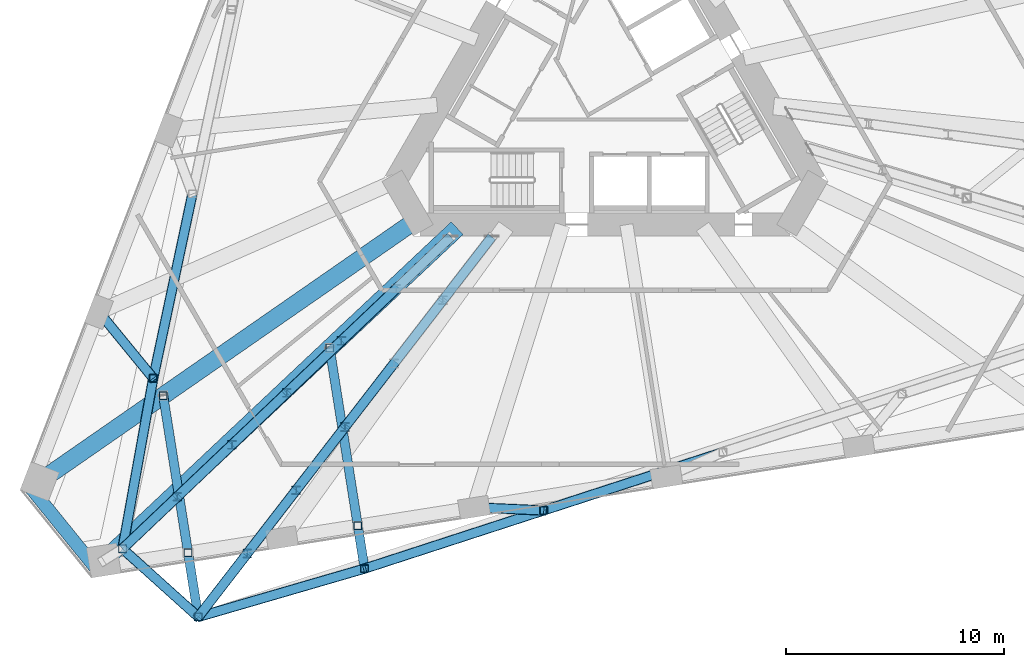
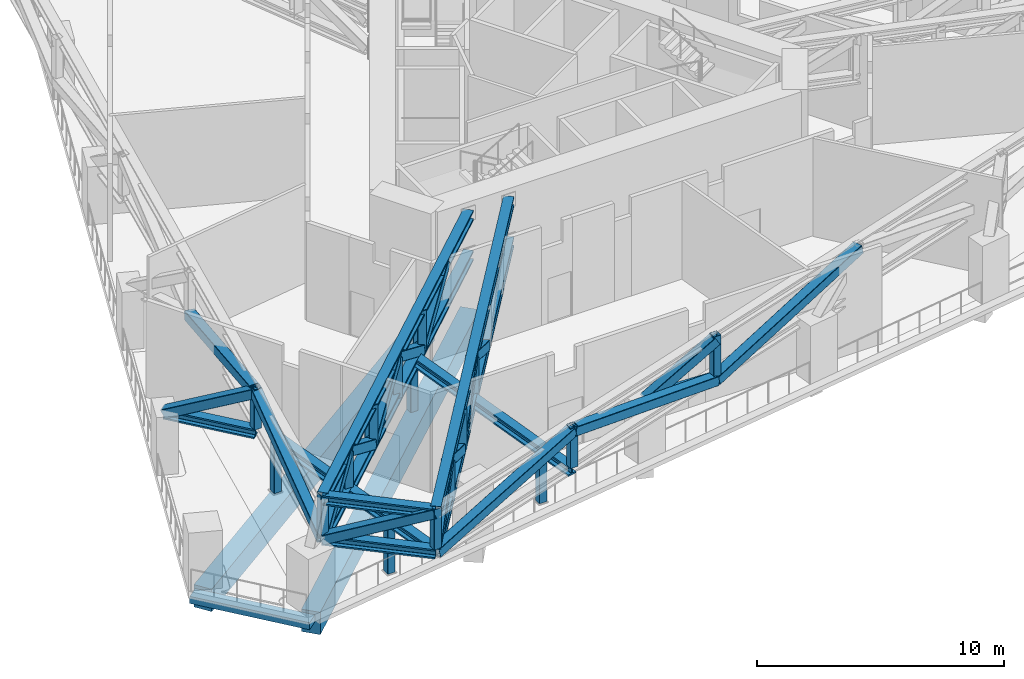
# One storey, part 2 of 20: 43 members, 3 beams.
"""IFC4 building model written with IfcOpenShell, lengths in metres."""

from ifc_helpers import new_model, si_unit, direction, frame, origin, origin_2d, place, context, subcontext, project, spatial, rectangle, hollow_rectangle, i_section, extrude, material, material_profile, profile_set, type_object, element, save


model = new_model("IFC4")

# Units and contexts
model_context = context("Model", 3, precision=1e-05, world=origin(), true_north=direction((0.0, 1.0)))
body_context = subcontext(model_context, "Body", "Model", "MODEL_VIEW")
ifc_project = project(units=[si_unit("LENGTHUNIT", "METRE"), si_unit("AREAUNIT", "SQUARE_METRE"), si_unit("VOLUMEUNIT", "CUBIC_METRE"), si_unit("PLANEANGLEUNIT", "RADIAN"), si_unit("MASSUNIT", "GRAM", prefix="KILO")], contexts=[model_context])

# Site, building, storey
site_placement = place(None, origin())
site = spatial("IfcSite", under=ifc_project, at=site_placement, CompositionType="ELEMENT")
building_placement = place(site_placement, origin())
building = spatial("IfcBuilding", under=site, at=building_placement, Name="Tramontana Tower", CompositionType="ELEMENT")
storey_placement = place(building_placement, frame((0.0, 0.0, 83.199951171875)))
storey = spatial("IfcBuildingStorey", under=building, at=storey_placement, Name="L18", CompositionType="ELEMENT", Elevation=83.199951171875)

# Members
ifc_material_1 = material(Name="Steel ASTM A500 Grade C", Category="steel")
ifc_material_profile_1 = material_profile(ifc_material_1, hollow_rectangle(XDim=0.355712890625, YDim=0.355712890625, WallThickness=0.01171875, InnerFilletRadius=0.01171875, OuterFilletRadius=0.023681640625, at=origin_2d()), Name="HSS14X14X1/2")
ifc_profile_set_1 = profile_set([ifc_material_profile_1], Name="Steel ASTM A500 Grade C")
member_type_1 = type_object("IfcMemberType", Name="Belt truss HSS14X14X1/2 post", PredefinedType="POST", material=ifc_profile_set_1)
for number, where, z_axis, x_axis, name in (
    (1, (-20.767578125, -13.293212890625, 2.86376953125), (0.0, 0.0, 1.0), (1.0, 0.0, 0.0), "Belt truss post C2F05"),
    (2, (-22.177978515625, -21.13134765625, 2.86376953125), (0.0, 0.0, 1.0), (1.0, 0.0, 0.0), "Belt truss post C2K2"),
    (3, (-18.697509765625, -24.265380859375, 2.86376953125), (0.0, 0.0, 1.0), (1.0, 0.0, 0.0), "Belt truss post C2K3"),
    (4, (-11.049560546875, -22.04345703125, 2.86376953125), (0.0, 0.0, 1.0), (1.0, 0.0, 0.0), "Belt truss post C2F06"),
    (5, (-2.81298828125, -19.3671875, 2.86376953125), (0.0, 0.0, 1.0), (1.0, 0.0, 0.0), "Belt truss post C2F07"),
):
    element("IfcMember", number, at=place(storey_placement, frame(where, z_axis=z_axis, x_axis=x_axis)), inside=storey, type_object=member_type_1, Name=name, PredefinedType="POST", context=body_context, shape_type="SweptSolid", body=[
        extrude(hollow_rectangle(XDim=0.355712890625, YDim=0.355712890625, WallThickness=0.01171875, InnerFilletRadius=0.01171875, OuterFilletRadius=0.023681640625, at=origin_2d()), origin(), (0.0, 0.0, 1.0), 1.986328125),
    ])
ifc_material_2 = material(Name="Steel ASTM A500 Grade C", Category="steel")
ifc_material_profile_2 = material_profile(ifc_material_2, hollow_rectangle(XDim=0.457275390625, YDim=0.457275390625, WallThickness=0.017822265625, InnerFilletRadius=0.017822265625, OuterFilletRadius=0.035400390625, at=origin_2d()), Name="HSS18X18X3/4")
ifc_profile_set_2 = profile_set([ifc_material_profile_2], Name="Steel ASTM A500 Grade C")
member_type_2 = type_object("IfcMemberType", Name="Belt truss HSS18X18X3/4 brace", PredefinedType="BRACE", material=ifc_profile_set_2)
member_1_placement = place(storey_placement, frame((-18.967041015625, -4.822265625, 2.6318359375), z_axis=(-0.202647600211, -0.953391699594, 0.223558084788), x_axis=(0.978148030837, -0.207909667332, 0.0)))
element("IfcMember", 6, at=member_1_placement, inside=storey, type_object=member_type_2, Name="Belt truss diagonal S0.5", PredefinedType="BRACE", context=body_context, shape_type="SweptSolid", body=[
    extrude(hollow_rectangle(XDim=0.457275390625, YDim=0.457275390625, WallThickness=0.017822265625, InnerFilletRadius=0.017822265625, OuterFilletRadius=0.035400390625, at=origin_2d()), origin(), (0.0, 0.0, 1.0), 8.885009765625),
])
member_2_placement = place(storey_placement, frame((-20.767578125, -13.293212890625, 4.6181640625), z_axis=(-0.171832634173, -0.954939712676, -0.241999361543), x_axis=(0.984193477497, -0.177096580579, 0.0)))
element("IfcMember", 7, at=member_2_placement, inside=storey, type_object=member_type_2, Name="Belt truss diagonal S0.6", PredefinedType="BRACE", context=body_context, shape_type="SweptSolid", body=[
    extrude(hollow_rectangle(XDim=0.457275390625, YDim=0.457275390625, WallThickness=0.017822265625, InnerFilletRadius=0.017822265625, OuterFilletRadius=0.035400390625, at=origin_2d()), origin(), (0.0, 0.0, 1.0), 8.2080078125),
])
member_3_placement = place(storey_placement, frame((-18.697509765625, -24.265380859375, 2.6318359375), z_axis=(0.931751731356, 0.270697583703, 0.241994895177), x_axis=(-0.278989853336, 0.96029404962, 0.0)))
element("IfcMember", 8, at=member_3_placement, inside=storey, type_object=member_type_2, Name="Belt truss diagonal S1.1", PredefinedType="BRACE", context=body_context, shape_type="SweptSolid", body=[
    extrude(hollow_rectangle(XDim=0.457275390625, YDim=0.457275390625, WallThickness=0.017822265625, InnerFilletRadius=0.017822265625, OuterFilletRadius=0.035400390625, at=origin_2d()), origin(), (0.0, 0.0, 1.0), 8.208251953125),
])
member_4_placement = place(storey_placement, frame((-11.049560546875, -22.04345703125, 4.6181640625), z_axis=(0.926985806432, 0.301201008095, -0.223551487125), x_axis=(-0.309021691373, 0.951054990135, 0.0)))
element("IfcMember", 9, at=member_4_placement, inside=storey, type_object=member_type_2, Name="Belt truss diagonal S1.2", PredefinedType="BRACE", context=body_context, shape_type="SweptSolid", body=[
    extrude(hollow_rectangle(XDim=0.457275390625, YDim=0.457275390625, WallThickness=0.017822265625, InnerFilletRadius=0.017822265625, OuterFilletRadius=0.035400390625, at=origin_2d()), origin(), (0.0, 0.0, 1.0), 8.88525390625),
])
member_5_placement = place(storey_placement, frame((-2.81298828125, -19.3671875, 2.6318359375), z_axis=(0.926978074009, 0.301216352373, 0.223562875652), x_axis=(-0.309038262263, 0.951049605677, 0.0)))
element("IfcMember", 10, at=member_5_placement, inside=storey, type_object=member_type_2, Name="Belt truss diagonal S1.3", PredefinedType="BRACE", context=body_context, shape_type="SweptSolid", body=[
    extrude(hollow_rectangle(XDim=0.457275390625, YDim=0.457275390625, WallThickness=0.017822265625, InnerFilletRadius=0.017822265625, OuterFilletRadius=0.035400390625, at=origin_2d()), origin(), (0.0, 0.0, 1.0), 8.884765625),
])
member_6_placement = place(storey_placement, frame((-22.177978515625, -21.13134765625, 2.6318359375), z_axis=(0.684139199246, -0.616042010432, 0.390443078358), x_axis=(0.669154786241, 0.743123053101, 0.0)))
element("IfcMember", 11, at=member_6_placement, inside=storey, type_object=member_type_2, Name="Belt truss diagonal K1.1", PredefinedType="BRACE", context=body_context, shape_type="SweptSolid", body=[
    extrude(hollow_rectangle(XDim=0.457275390625, YDim=0.457275390625, WallThickness=0.017822265625, InnerFilletRadius=0.017822265625, OuterFilletRadius=0.035400390625, at=origin_2d()), origin(), (0.0, 0.0, 1.0), 5.08740234375),
])
ifc_material_3 = material(Name="Steel ASTM A992 Grade 50", Category="steel")
ifc_material_profile_3 = material_profile(ifc_material_3, i_section(OverallWidth=0.42236328125, OverallDepth=0.463623046875, WebThickness=0.04443359375, FlangeThickness=0.072998046875, FilletRadius=0.014892578125, at=origin_2d()), Name="W14X398")
ifc_profile_set_3 = profile_set([ifc_material_profile_3], Name="Steel ASTM A992 Grade 50")
member_type_3 = type_object("IfcMemberType", Name="Belt truss W14X398 chord", PredefinedType="CHORD", material=ifc_profile_set_3)
for number, where, z_axis, x_axis, name in (
    (12, (-22.177978515625, -21.13134765625, 2.6318359375), (0.743123053101, -0.669154786241, 0.0), (0.669154786241, 0.743123053101, 0.0), "Belt truss bottom chord K1"),
    (13, (-22.177978515625, -21.13134765625, 4.6181640625), (0.743123053101, -0.669154786241, 0.0), (0.669154786241, 0.743123053101, 0.0), "Belt truss top chord K1"),
):
    element("IfcMember", number, at=place(storey_placement, frame(where, z_axis=z_axis, x_axis=x_axis)), inside=storey, type_object=member_type_3, Name=name, PredefinedType="CHORD", context=body_context, shape_type="SweptSolid", body=[
        extrude(i_section(OverallWidth=0.42236328125, OverallDepth=0.463623046875, WebThickness=0.04443359375, FlangeThickness=0.072998046875, FilletRadius=0.014892578125, at=origin_2d()), origin(), (0.0, 0.0, 1.0), 4.68359375),
    ])

# Beams
ifc_material_4 = material(Name="Concrete 40 MPa", Category="concrete")
ifc_material_profile_4 = material_profile(ifc_material_4, rectangle(XDim=0.60009765625, YDim=0.35009765625, at=origin_2d()), Name="RC EDGE BEAM 600X350 40 MPa")
ifc_profile_set_4 = profile_set([ifc_material_profile_4], Name="Concrete 40 MPa")
beam_type_1 = type_object("IfcBeamType", Name="RC EDGE BEAM 600X350 40 MPa", PredefinedType="SPANDREL", material=ifc_profile_set_4)
beam_1_placement = place(storey_placement, frame((-26.54248046875, -18.150634765625, -0.52490234375), z_axis=(0.629325274503, -0.777142006889, 0.0), x_axis=(0.777142006889, 0.629325274503, 0.0)))
element("IfcBeam", 14, at=beam_1_placement, inside=storey, type_object=beam_type_1, Name="Spandrel beam K1 L18", PredefinedType="SPANDREL", context=body_context, shape_type="SweptSolid", body=[
    extrude(rectangle(XDim=0.60009765625, YDim=0.35009765625, at=origin_2d()), origin(), (0.0, 0.0, 1.0), 5.196044921875),
])
ifc_material_5 = material(Name="Concrete 40 MPa", Category="concrete")
ifc_material_profile_5 = material_profile(ifc_material_5, rectangle(XDim=0.800048828125, YDim=1.10009765625, at=origin_2d()), Name="RC GIRDER 800X1100 40 MPa")
ifc_profile_set_5 = profile_set([ifc_material_profile_5], Name="Concrete 40 MPa")
beam_type_2 = type_object("IfcBeamType", Name="RC GIRDER 800X1100 40 MPa", PredefinedType="BEAM", material=ifc_profile_set_5)
beam_2_placement = place(storey_placement, frame((-25.98779296875, -18.03125, -0.89990234375), z_axis=(0.821603252741, 0.570059729402, 0.0), x_axis=(-0.570059729402, 0.821603252741, 0.0)))
element("IfcBeam", 15, at=beam_2_placement, inside=storey, type_object=beam_type_2, Name="Radial girder C1K2 L18", PredefinedType="BEAM", context=body_context, shape_type="SweptSolid", body=[
    extrude(rectangle(XDim=0.800048828125, YDim=1.10009765625, at=origin_2d()), origin(), (0.0, 0.0, 1.0), 21.11767578125),
])
beam_3_placement = place(storey_placement, frame((-23.040283203125, -21.671142578125, -0.89990234375), z_axis=(0.728416554247, 0.685134529489, 0.0), x_axis=(-0.685134529489, 0.728416554247, 0.0)))
element("IfcBeam", 16, at=beam_3_placement, inside=storey, type_object=beam_type_2, Name="Radial girder C1K3 L18", PredefinedType="BEAM", context=body_context, shape_type="SweptSolid", body=[
    extrude(rectangle(XDim=0.800048828125, YDim=1.10009765625, at=origin_2d()), origin(), (0.0, 0.0, 1.0), 22.30322265625),
])

# Members
ifc_material_6 = material(Name="Steel ASTM A500 Grade C", Category="steel")
ifc_material_profile_6 = material_profile(ifc_material_6, hollow_rectangle(XDim=0.355712890625, YDim=0.355712890625, WallThickness=0.01171875, InnerFilletRadius=0.01171875, OuterFilletRadius=0.023681640625, at=origin_2d()), Name="HSS14X14X1/2")
ifc_profile_set_6 = profile_set([ifc_material_profile_6], Name="Steel ASTM A500 Grade C")
member_type_4 = type_object("IfcMemberType", Name="Transfer truss HSS14X14X1/2 post", PredefinedType="POST", material=ifc_profile_set_6)
for number, where, z_axis, x_axis, name in (
    (17, (-11.361328125, -20.074462890625, 0.0400390625), (0.0, 0.0, 1.0), (1.0, 0.0, 0.0), "Transfer truss post C2F06.1"),
    (18, (-12.655517578125, -11.903564453125, 0.0400390625), (0.0, 0.0, 1.0), (1.0, 0.0, 0.0), "Transfer truss post C2F06.2"),
    (19, (-19.16552734375, -21.310546875, 0.0400390625), (0.0, 0.0, 1.0), (1.0, 0.0, 0.0), "Transfer truss post C2K3.1"),
    (20, (-20.308837890625, -14.0908203125, 0.0400390625), (0.0, 0.0, 1.0), (1.0, 0.0, 0.0), "Transfer truss post C2K3.2"),
):
    element("IfcMember", number, at=place(storey_placement, frame(where, z_axis=z_axis, x_axis=x_axis)), inside=storey, type_object=member_type_4, Name=name, PredefinedType="POST", context=body_context, shape_type="SweptSolid", body=[
        extrude(hollow_rectangle(XDim=0.355712890625, YDim=0.355712890625, WallThickness=0.01171875, InnerFilletRadius=0.01171875, OuterFilletRadius=0.023681640625, at=origin_2d()), origin(), (0.0, 0.0, 1.0), 2.360107421875),
    ])
ifc_material_7 = material(Name="Steel ASTM A500 Grade C", Category="steel")
ifc_material_profile_7 = material_profile(ifc_material_7, hollow_rectangle(XDim=0.457275390625, YDim=0.457275390625, WallThickness=0.017822265625, InnerFilletRadius=0.017822265625, OuterFilletRadius=0.035400390625, at=origin_2d()), Name="HSS18X18X3/4")
ifc_profile_set_7 = profile_set([ifc_material_profile_7], Name="Steel ASTM A500 Grade C")
member_type_5 = type_object("IfcMemberType", Name="Transfer truss HSS18X18X3/4 brace", PredefinedType="BRACE", material=ifc_profile_set_7)
member_7_placement = place(storey_placement, frame((-23.26513671875, -10.240478515625, 2.6318359375), z_axis=(0.565549605465, -0.691264151196, 0.449786079185), x_axis=(0.773973845956, 0.633217565909, 0.0)))
element("IfcMember", 21, at=member_7_placement, inside=storey, type_object=member_type_5, Name="Transfer truss strut C2F05 diagonal", PredefinedType="BRACE", context=body_context, shape_type="SweptSolid", body=[
    extrude(hollow_rectangle(XDim=0.457275390625, YDim=0.457275390625, WallThickness=0.017822265625, InnerFilletRadius=0.017822265625, OuterFilletRadius=0.035400390625, at=origin_2d()), origin(), (0.0, 0.0, 1.0), 4.416259765625),
])
member_8_placement = place(storey_placement, frame((-6.01513671875, -19.227783203125, 2.6318359375), z_axis=(0.849203360144, -0.036969740671, 0.526770245359), x_axis=(0.043493417997, 0.999053713566, 0.0)))
element("IfcMember", 22, at=member_8_placement, inside=storey, type_object=member_type_5, Name="Transfer truss strut C2F07 diagonal", PredefinedType="BRACE", context=body_context, shape_type="SweptSolid", body=[
    extrude(hollow_rectangle(XDim=0.457275390625, YDim=0.457275390625, WallThickness=0.017822265625, InnerFilletRadius=0.017822265625, OuterFilletRadius=0.035400390625, at=origin_2d()), origin(), (0.0, 0.0, 1.0), 3.770751953125),
])
for number, where, z_axis, x_axis, name in (
    (23, (-9.60009765625, -9.18017578125, 4.6181640625), (-0.629109477833, -0.597846345478, -0.496790712574), (0.68886594434, -0.724888757485, 0.0), "Transfer truss diagonal 1.2"),
    (24, (-12.115478515625, -11.570556640625, 2.6318359375), (-0.629169335239, -0.597784141304, 0.496789762375), (0.688793838156, -0.724957273581, 0.0), "Transfer truss diagonal 1.3"),
):
    element("IfcMember", number, at=place(storey_placement, frame(where, z_axis=z_axis, x_axis=x_axis)), inside=storey, type_object=member_type_5, Name=name, PredefinedType="BRACE", context=body_context, shape_type="SweptSolid", body=[
        extrude(hollow_rectangle(XDim=0.457275390625, YDim=0.457275390625, WallThickness=0.017822265625, InnerFilletRadius=0.017822265625, OuterFilletRadius=0.035400390625, at=origin_2d()), origin(), (0.0, 0.0, 1.0), 3.998291015625),
    ])
member_9_placement = place(storey_placement, frame((-14.631103515625, -13.960693359375, 4.6181640625), z_axis=(-0.629183257804, -0.597800415057, -0.496752545899), x_axis=(0.688795682513, -0.724955521223, 0.0)))
element("IfcMember", 25, at=member_9_placement, inside=storey, type_object=member_type_5, Name="Transfer truss diagonal 1.4", PredefinedType="BRACE", context=body_context, shape_type="SweptSolid", body=[
    extrude(hollow_rectangle(XDim=0.457275390625, YDim=0.457275390625, WallThickness=0.017822265625, InnerFilletRadius=0.017822265625, OuterFilletRadius=0.035400390625, at=origin_2d()), origin(), (0.0, 0.0, 1.0), 3.99853515625),
])
for number, where, z_axis, x_axis, name in (
    (26, (-17.14697265625, -16.35107421875, 2.6318359375), (-0.629169335239, -0.597784141304, 0.496789762375), (0.688793838156, -0.724957273581, 0.0), "Transfer truss diagonal 1.5"),
    (27, (-19.66259765625, -18.7412109375, 4.6181640625), (-0.629132443546, -0.597807106893, -0.496808847975), (0.688828971572, -0.724923891124, 0.0), "Transfer truss diagonal 1.6"),
):
    element("IfcMember", number, at=place(storey_placement, frame(where, z_axis=z_axis, x_axis=x_axis)), inside=storey, type_object=member_type_5, Name=name, PredefinedType="BRACE", context=body_context, shape_type="SweptSolid", body=[
        extrude(hollow_rectangle(XDim=0.457275390625, YDim=0.457275390625, WallThickness=0.017822265625, InnerFilletRadius=0.017822265625, OuterFilletRadius=0.035400390625, at=origin_2d()), origin(), (0.0, 0.0, 1.0), 3.998291015625),
    ])
member_10_placement = place(storey_placement, frame((-9.699951171875, -12.615234375, 2.6318359375), z_axis=(-0.537885193403, -0.696454192131, 0.475006396779), x_axis=(0.791441098914, -0.611245439206, 0.0)))
element("IfcMember", 28, at=member_10_placement, inside=storey, type_object=member_type_5, Name="Transfer truss diagonal 2.3", PredefinedType="BRACE", context=body_context, shape_type="SweptSolid", body=[
    extrude(hollow_rectangle(XDim=0.457275390625, YDim=0.457275390625, WallThickness=0.017822265625, InnerFilletRadius=0.017822265625, OuterFilletRadius=0.035400390625, at=origin_2d()), origin(), (0.0, 0.0, 1.0), 4.181640625),
])
for number, where, z_axis, x_axis, name in (
    (29, (-11.94921875, -15.527587890625, 4.6181640625), (-0.537904812254, -0.696462384436, -0.474972167626), (0.791433791941, -0.611254900163, 0.0), "Transfer truss diagonal 2.4"),
    (30, (-14.19873046875, -18.440185546875, 2.6318359375), (-0.537863322718, -0.69648425486, 0.474987082778), (0.791465885209, -0.611213344546, 0.0), "Transfer truss diagonal 2.5"),
    (31, (-16.447998046875, -21.352783203125, 4.6181640625), (-0.537904812254, -0.696462384436, -0.474972167626), (0.791433791941, -0.611254900163, 0.0), "Transfer truss diagonal 2.6"),
):
    element("IfcMember", number, at=place(storey_placement, frame(where, z_axis=z_axis, x_axis=x_axis)), inside=storey, type_object=member_type_5, Name=name, PredefinedType="BRACE", context=body_context, shape_type="SweptSolid", body=[
        extrude(hollow_rectangle(XDim=0.457275390625, YDim=0.457275390625, WallThickness=0.017822265625, InnerFilletRadius=0.017822265625, OuterFilletRadius=0.035400390625, at=origin_2d()), origin(), (0.0, 0.0, 1.0), 4.181884765625),
    ])
ifc_material_8 = material(Name="Steel ASTM A992 Grade 50", Category="steel")
ifc_material_profile_8 = material_profile(ifc_material_8, i_section(OverallWidth=0.4033203125, OverallDepth=0.406494140625, WebThickness=0.027099609375, FlangeThickness=0.04443359375, FilletRadius=0.01513671875, at=origin_2d()), Name="W14X233")
ifc_profile_set_8 = profile_set([ifc_material_profile_8], Name="Steel ASTM A992 Grade 50")
member_type_6 = type_object("IfcMemberType", Name="Transfer truss W14X233 post", PredefinedType="POST", material=ifc_profile_set_8)
for number, where, z_axis, x_axis, name in (
    (32, (-12.115478515625, -11.570556640625, 2.6318359375), (0.0, 0.0, 1.0), (1.0, 0.0, 0.0), "Transfer truss post 1.2"),
    (33, (-14.631103515625, -13.960693359375, 2.6318359375), (0.0, 0.0, 1.0), (1.0, 0.0, 0.0), "Transfer truss post 1.3"),
    (34, (-17.14697265625, -16.35107421875, 2.6318359375), (0.0, 0.0, 1.0), (1.0, 0.0, 0.0), "Transfer truss post 1.4"),
    (35, (-19.66259765625, -18.7412109375, 2.6318359375), (0.0, 0.0, 1.0), (1.0, 0.0, 0.0), "Transfer truss post 1.5"),
    (36, (-11.94921875, -15.527587890625, 2.6318359375), (0.0, 0.0, 1.0), (1.0, 0.0, 0.0), "Transfer truss post 2.3"),
    (37, (-14.19873046875, -18.440185546875, 2.6318359375), (0.0, 0.0, 1.0), (1.0, 0.0, 0.0), "Transfer truss post 2.4"),
    (38, (-16.447998046875, -21.352783203125, 2.6318359375), (0.0, 0.0, 1.0), (1.0, 0.0, 0.0), "Transfer truss post 2.5"),
):
    element("IfcMember", number, at=place(storey_placement, frame(where, z_axis=z_axis, x_axis=x_axis)), inside=storey, type_object=member_type_6, Name=name, PredefinedType="POST", context=body_context, shape_type="SweptSolid", body=[
        extrude(i_section(OverallWidth=0.4033203125, OverallDepth=0.406494140625, WebThickness=0.027099609375, FlangeThickness=0.04443359375, FilletRadius=0.01513671875, at=origin_2d()), origin(), (0.0, 0.0, 1.0), 1.986328125),
    ])
ifc_material_9 = material(Name="Steel ASTM A992 Grade 50", Category="steel")
ifc_material_profile_9 = material_profile(ifc_material_9, i_section(OverallWidth=0.42236328125, OverallDepth=0.463623046875, WebThickness=0.04443359375, FlangeThickness=0.072998046875, FilletRadius=0.014892578125, at=origin_2d()), Name="W14X398")
ifc_profile_set_9 = profile_set([ifc_material_profile_9], Name="Steel ASTM A992 Grade 50")
member_type_7 = type_object("IfcMemberType", Name="Transfer truss W14X398 chord", PredefinedType="CHORD", material=ifc_profile_set_9)
member_11_placement = place(storey_placement, frame((-11.049560546875, -22.04345703125, 2.6318359375), z_axis=(-0.156430266972, 0.987689005495, 0.0), x_axis=(-0.987689005495, -0.156430266972, 0.0)))
element("IfcMember", 39, at=member_11_placement, inside=storey, type_object=member_type_7, Name="Transfer truss girder C2F06", PredefinedType="CHORD", context=body_context, shape_type="SweptSolid", body=[
    extrude(i_section(OverallWidth=0.42236328125, OverallDepth=0.463623046875, WebThickness=0.04443359375, FlangeThickness=0.072998046875, FilletRadius=0.014892578125, at=origin_2d()), origin(), (0.0, 0.0, 1.0), 10.266357421875),
])
member_12_placement = place(storey_placement, frame((-18.697509765625, -24.265380859375, 2.6318359375), z_axis=(-0.156418938865, 0.987690799575, 0.0), x_axis=(-0.987690799575, -0.156418938865, 0.0)))
element("IfcMember", 40, at=member_12_placement, inside=storey, type_object=member_type_7, Name="Transfer truss girder C2K3", PredefinedType="CHORD", context=body_context, shape_type="SweptSolid", body=[
    extrude(i_section(OverallWidth=0.42236328125, OverallDepth=0.463623046875, WebThickness=0.04443359375, FlangeThickness=0.072998046875, FilletRadius=0.014892578125, at=origin_2d()), origin(), (0.0, 0.0, 1.0), 10.30126953125),
])
ifc_material_10 = material(Name="Steel ASTM A992 Grade 50", Category="steel")
ifc_material_profile_10 = material_profile(ifc_material_10, i_section(OverallWidth=0.42236328125, OverallDepth=0.463623046875, WebThickness=0.04443359375, FlangeThickness=0.072998046875, FilletRadius=0.014892578125, at=origin_2d()), Name="W14X398")
ifc_profile_set_10 = profile_set([ifc_material_profile_10], Name="Steel ASTM A992 Grade 50")
member_type_8 = type_object("IfcMemberType", Name="Transfer truss W14X398 strut", PredefinedType="STRUT", material=ifc_profile_set_10)
member_13_placement = place(storey_placement, frame((-23.26513671875, -10.240478515625, 2.6318359375), z_axis=(0.633217565909, -0.773973845956, 0.0), x_axis=(0.773973845956, 0.633217565909, 0.0)))
element("IfcMember", 41, at=member_13_placement, inside=storey, type_object=member_type_8, Name="Transfer truss strut C2F05 bottom", PredefinedType="STRUT", context=body_context, shape_type="SweptSolid", body=[
    extrude(i_section(OverallWidth=0.42236328125, OverallDepth=0.463623046875, WebThickness=0.04443359375, FlangeThickness=0.072998046875, FilletRadius=0.014892578125, at=origin_2d()), origin(), (0.0, 0.0, 1.0), 3.9443359375),
])
member_14_placement = place(storey_placement, frame((-6.01513671875, -19.227783203125, 2.6318359375), z_axis=(0.999053713566, -0.043493417997, 0.0), x_axis=(0.043493417997, 0.999053713566, 0.0)))
element("IfcMember", 42, at=member_14_placement, inside=storey, type_object=member_type_8, Name="Transfer truss strut C2F07 bottom", PredefinedType="STRUT", context=body_context, shape_type="SweptSolid", body=[
    extrude(i_section(OverallWidth=0.42236328125, OverallDepth=0.463623046875, WebThickness=0.04443359375, FlangeThickness=0.072998046875, FilletRadius=0.014892578125, at=origin_2d()), origin(), (0.0, 0.0, 1.0), 3.205078125),
])
ifc_material_11 = material(Name="Steel ASTM A992 Grade 50", Category="steel")
ifc_material_profile_11 = material_profile(ifc_material_11, i_section(OverallWidth=0.431884765625, OverallDepth=0.49853515625, WebThickness=0.0556640625, FlangeThickness=0.0888671875, FilletRadius=0.01513671875, at=origin_2d()), Name="W14X500")
ifc_profile_set_11 = profile_set([ifc_material_profile_11], Name="Steel ASTM A992 Grade 50")
member_type_9 = type_object("IfcMemberType", Name="Transfer truss W14X500 chord", PredefinedType="CHORD", material=ifc_profile_set_11)
for number, where, z_axis, x_axis, name in (
    (43, (-7.084228515625, -6.7900390625, 2.6318359375), (-0.724945562855, -0.688806163516, 0.0), (0.688806163516, -0.724945562855, 0.0), "Transfer truss bottom chord 1"),
    (44, (-7.084228515625, -6.7900390625, 4.6181640625), (-0.724945562855, -0.688806163516, 0.0), (0.688806163516, -0.724945562855, 0.0), "Transfer truss top chord 1"),
):
    element("IfcMember", number, at=place(storey_placement, frame(where, z_axis=z_axis, x_axis=x_axis)), inside=storey, type_object=member_type_9, Name=name, PredefinedType="CHORD", context=body_context, shape_type="SweptSolid", body=[
        extrude(i_section(OverallWidth=0.431884765625, OverallDepth=0.49853515625, WebThickness=0.0556640625, FlangeThickness=0.0888671875, FilletRadius=0.01513671875, at=origin_2d()), origin(), (0.0, 0.0, 1.0), 20.820556640625),
    ])
for number, where, z_axis, x_axis, name in (
    (45, (-5.201171875, -6.7900390625, 2.6318359375), (-0.611239471897, -0.791445707547, 0.0), (0.791445707547, -0.611239471897, 0.0), "Transfer truss bottom chord 2"),
    (46, (-5.201171875, -6.7900390625, 4.6181640625), (-0.611239471897, -0.791445707547, 0.0), (0.791445707547, -0.611239471897, 0.0), "Transfer truss top chord 2"),
):
    element("IfcMember", number, at=place(storey_placement, frame(where, z_axis=z_axis, x_axis=x_axis)), inside=storey, type_object=member_type_9, Name=name, PredefinedType="CHORD", context=body_context, shape_type="SweptSolid", body=[
        extrude(i_section(OverallWidth=0.431884765625, OverallDepth=0.49853515625, WebThickness=0.0556640625, FlangeThickness=0.0888671875, FilletRadius=0.01513671875, at=origin_2d()), origin(), (0.0, 0.0, 1.0), 22.080322265625),
    ])

save(model, "model.ifc")
